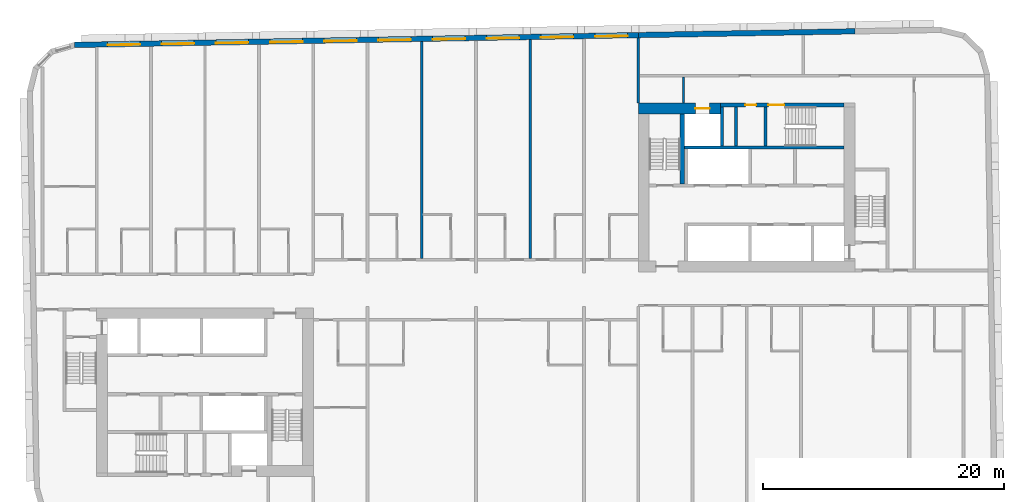
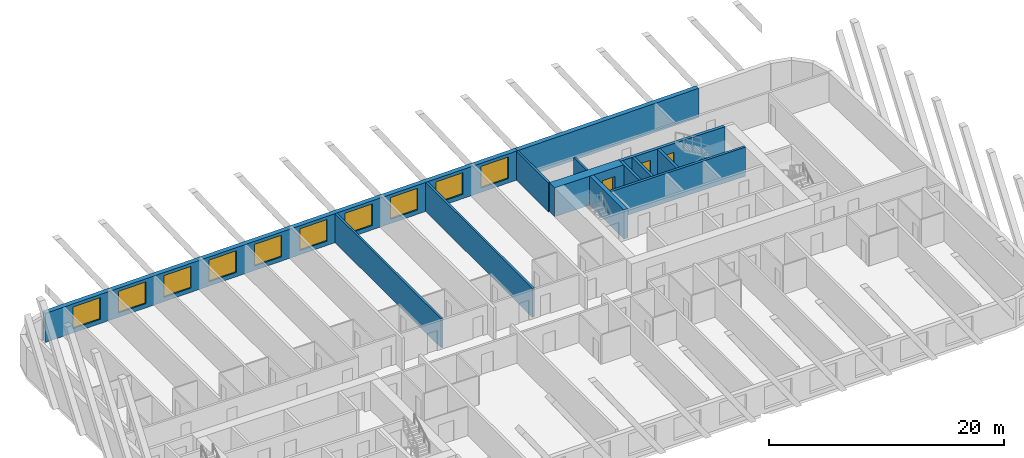
# One storey, part 6 of 13: 13 walls, 10 windows, 3 doors, 13 openings.
"""IFC4 building model written with IfcOpenShell, lengths in metres."""

from ifc_helpers import new_model, si_unit, direction, frame, frame_2d, origin, place, context, subcontext, project, spatial, rectangle, extrude, material, layer, layer_set, type_object, element, fill, save


model = new_model("IFC4")

# Units and contexts
model_context = context("Model", 3, precision=1e-05, world=origin(), true_north=direction((0.0, 1.0)))
body_context = subcontext(model_context, "Body", "Model", "MODEL_VIEW")
ifc_project = project(units=[si_unit("LENGTHUNIT", "METRE"), si_unit("AREAUNIT", "SQUARE_METRE"), si_unit("VOLUMEUNIT", "CUBIC_METRE"), si_unit("PLANEANGLEUNIT", "RADIAN"), si_unit("MASSUNIT", "GRAM", prefix="KILO")], contexts=[model_context])

# Site, building, storey
site_placement = place(None, origin())
site = spatial("IfcSite", under=ifc_project, at=site_placement, CompositionType="ELEMENT")
building_placement = place(site_placement, origin())
building = spatial("IfcBuilding", under=site, at=building_placement, Name="Kajstack Hotel Tower", CompositionType="ELEMENT")
storey_placement = place(building_placement, frame((0.0, 0.0, 237.5)))
storey = spatial("IfcBuildingStorey", under=building, at=storey_placement, Name="L58", CompositionType="ELEMENT", Elevation=237.5)

# Wall, opening, door
ifc_material_1 = material(Name="Concrete C60/75", Category="concrete")
ifc_layer_1 = layer(ifc_material_1, 0.89990234375)
ifc_layer_set_1 = layer_set([ifc_layer_1], Name="Core wall 900")
wall_type_1 = type_object("IfcWallType", Name="Core wall 900", PredefinedType="SHEAR", material=ifc_layer_set_1)
wall_1_placement = place(storey_placement, frame((13.5, 15.050048828125, 0.0), z_axis=(0.0, 0.0, 1.0), x_axis=(1.0, 0.0, 0.0)))
wall_1 = element("IfcWall", 1, at=wall_1_placement, inside=storey, type_object=wall_type_1, Name="Core wall E RS", PredefinedType="SHEAR", context=body_context, shape_type="SweptSolid", body=[
    extrude(rectangle(XDim=6.800048828125, YDim=0.89990234375, at=frame_2d((3.39990234375, 0.0))), origin(), (0.0, 0.0, 1.0), 3.02001953125),
])
opening_1_placement = place(wall_1_placement, frame((4.72509765625, 0.0, 0.0)))
opening_1 = element("IfcOpeningElement", 2, at=opening_1_placement, cuts=wall_1, Name="Opening LD-SV2", PredefinedType="OPENING", context=body_context, shape_type="SweptSolid", body=[
    extrude(rectangle(XDim=1.199951171875, YDim=2.10009765625, at=frame_2d((0.60009765625, 1.050048828125))), frame((0.0, 0.4599609375, 0.0), z_axis=(0.0, -1.0, 0.0), x_axis=(1.0, 0.0, 0.0)), (0.0, 0.0, 1.0), 0.919921875),
])
ifc_material_2 = material(Name="Stainless steel", Category="steel")
door_type_1 = type_object("IfcDoorType", Name="Lift landing door 1200", OperationType="SLIDING_TO_LEFT", PredefinedType="DOOR", material=ifc_material_2)
door_1_placement = place(opening_1_placement, origin())
door_1 = element("IfcDoor", 3, at=door_1_placement, inside=storey, type_object=door_type_1, Name="Landing door SV2", OperationType="SLIDING_TO_LEFT", OverallHeight=2.10009765625, OverallWidth=1.199951171875, PredefinedType="DOOR", context=body_context, shape_type="SweptSolid", body=[
    extrude(rectangle(XDim=1.199951171875, YDim=2.10009765625, at=frame_2d((0.60009765625, 1.050048828125))), frame((0.0, 0.02490234375, 0.0), z_axis=(0.0, -1.0, 0.0), x_axis=(1.0, 0.0, 0.0)), (0.0, 0.0, 1.0), 0.050048828125),
])
fill(opening_1, door_1)

# Walls
ifc_material_3 = material(Name="Twin-frame gypsum board on steel studs, mineral wool", Category="steel")
ifc_layer_2 = layer(ifc_material_3, 0.199951171875)
ifc_layer_set_2 = layer_set([ifc_layer_2], Name="Demising wall 200")
wall_type_2 = type_object("IfcWallType", Name="Demising wall 200", PredefinedType="PARTITIONING", material=ifc_layer_set_2)
wall_2_placement = place(storey_placement, frame((13.5, 15.5, 0.0), z_axis=(0.0, 0.0, 1.0), x_axis=(0.0, 1.0, 0.0)))
element("IfcWall", 4, at=wall_2_placement, inside=storey, type_object=wall_type_2, Name="G-wall-L58-001", PredefinedType="PARTITIONING", context=body_context, shape_type="SweptSolid", body=[
    extrude(rectangle(XDim=5.43603515625, YDim=0.199951171875, at=frame_2d((2.718017578125, 0.0))), origin(), (0.0, 0.0, 1.0), 3.02001953125),
])
wall_3_placement = place(storey_placement, frame((-4.5, 2.60009765625, 0.0), z_axis=(0.0, 0.0, 1.0), x_axis=(0.0, 1.0, 0.0)))
element("IfcWall", 5, at=wall_3_placement, inside=storey, type_object=wall_type_2, Name="G-wall-L58-021", PredefinedType="PARTITIONING", context=body_context, shape_type="SweptSolid", body=[
    extrude(rectangle(XDim=18.02197265625, YDim=0.199951171875, at=frame_2d((9.010986328125, 0.0))), origin(), (0.0, 0.0, 1.0), 3.02001953125),
])
wall_4_placement = place(storey_placement, frame((4.5, 2.60009765625, 0.0), z_axis=(0.0, 0.0, 1.0), x_axis=(0.0, 1.0, 0.0)))
element("IfcWall", 6, at=wall_4_placement, inside=storey, type_object=wall_type_2, Name="G-wall-L58-026", PredefinedType="PARTITIONING", context=body_context, shape_type="SweptSolid", body=[
    extrude(rectangle(XDim=18.178955078125, YDim=0.199951171875, at=frame_2d((9.08935546875, 0.0))), origin(), (0.0, 0.0, 1.0), 3.02001953125),
])
ifc_material_4 = material(Name="Concrete C40/50", Category="concrete")
ifc_layer_3 = layer(ifc_material_4, 0.449951171875)
ifc_layer_set_3 = layer_set([ifc_layer_3], Name="EW-CORE")
wall_type_3 = type_object("IfcWallType", Name="EW-CORE", PredefinedType="SOLIDWALL", material=ifc_layer_set_3)
wall_5_placement = place(storey_placement, frame((31.50390625, 21.4755859375, 0.0), z_axis=(0.0, 0.0, 1.0), x_axis=(-0.999847677887, -0.017453395744, 0.0)))
element("IfcWall", 7, at=wall_5_placement, inside=storey, type_object=wall_type_3, Name="E-wall-L58-12-01", PredefinedType="SOLIDWALL", context=body_context, shape_type="SweptSolid", body=[
    extrude(rectangle(XDim=18.002685546875, YDim=0.449951171875, at=frame_2d((9.00146484375, 0.0))), origin(), (0.0, 0.0, 1.0), 3.02001953125),
])

# Wall, openings, windows
ifc_material_5 = material(Name="Terracotta-faced brick masonry", Category="masonry")
ifc_layer_4 = layer(ifc_material_5, 0.449951171875)
ifc_layer_set_4 = layer_set([ifc_layer_4], Name="EW-TERRA")
wall_type_4 = type_object("IfcWallType", Name="EW-TERRA", PredefinedType="SOLIDWALL", material=ifc_layer_set_4)
wall_6_placement = place(storey_placement, frame((13.50390625, 21.161376953125, 0.0), z_axis=(0.0, 0.0, 1.0), x_axis=(-0.999847763257, -0.017448504532, 0.0)))
wall_6 = element("IfcWall", 8, at=wall_6_placement, inside=storey, type_object=wall_type_4, Name="E-wall-L58-12-02", PredefinedType="SOLIDWALL", context=body_context, shape_type="SweptSolid", body=[
    extrude(rectangle(XDim=46.859375, YDim=0.449951171875, at=frame_2d((23.4296875, 0.0))), origin(), (0.0, 0.0, 1.0), 3.02001953125),
])
opening_2_placement = place(wall_6_placement, frame((0.900390625, 0.0, 0.449951171875)))
opening_2 = element("IfcOpeningElement", 9, at=opening_2_placement, cuts=wall_6, Name="Opening W1", PredefinedType="OPENING", context=body_context, shape_type="SweptSolid", body=[
    extrude(rectangle(XDim=2.699951171875, YDim=2.25, at=frame_2d((1.35009765625, 1.125))), frame((0.0, 0.23486328125, 0.0), z_axis=(0.0, -1.0, 0.0), x_axis=(1.0, 0.0, 0.0)), (0.0, 0.0, 1.0), 0.469970703125),
])
opening_3_placement = place(wall_6_placement, frame((5.401123046875, 0.0, 0.449951171875)))
opening_3 = element("IfcOpeningElement", 10, at=opening_3_placement, cuts=wall_6, Name="Opening W1", PredefinedType="OPENING", context=body_context, shape_type="SweptSolid", body=[
    extrude(rectangle(XDim=2.699951171875, YDim=2.25, at=frame_2d((1.35009765625, 1.125))), frame((0.0, 0.23486328125, 0.0), z_axis=(0.0, -1.0, 0.0), x_axis=(1.0, 0.0, 0.0)), (0.0, 0.0, 1.0), 0.469970703125),
])
opening_4_placement = place(wall_6_placement, frame((9.90185546875, 0.0, 0.449951171875)))
opening_4 = element("IfcOpeningElement", 11, at=opening_4_placement, cuts=wall_6, Name="Opening W1", PredefinedType="OPENING", context=body_context, shape_type="SweptSolid", body=[
    extrude(rectangle(XDim=2.699951171875, YDim=2.25, at=frame_2d((1.35009765625, 1.125))), frame((0.0, 0.23486328125, 0.0), z_axis=(0.0, -1.0, 0.0), x_axis=(1.0, 0.0, 0.0)), (0.0, 0.0, 1.0), 0.469970703125),
])
opening_5_placement = place(wall_6_placement, frame((14.40234375, 0.0, 0.449951171875)))
opening_5 = element("IfcOpeningElement", 12, at=opening_5_placement, cuts=wall_6, Name="Opening W1", PredefinedType="OPENING", context=body_context, shape_type="SweptSolid", body=[
    extrude(rectangle(XDim=2.699951171875, YDim=2.25, at=frame_2d((1.35009765625, 1.125))), frame((0.0, 0.23486328125, 0.0), z_axis=(0.0, -1.0, 0.0), x_axis=(1.0, 0.0, 0.0)), (0.0, 0.0, 1.0), 0.469970703125),
])
opening_6_placement = place(wall_6_placement, frame((18.9033203125, 0.0, 0.449951171875)))
opening_6 = element("IfcOpeningElement", 13, at=opening_6_placement, cuts=wall_6, Name="Opening W1", PredefinedType="OPENING", context=body_context, shape_type="SweptSolid", body=[
    extrude(rectangle(XDim=2.699951171875, YDim=2.25, at=frame_2d((1.35009765625, 1.125))), frame((0.0, 0.23486328125, 0.0), z_axis=(0.0, -1.0, 0.0), x_axis=(1.0, 0.0, 0.0)), (0.0, 0.0, 1.0), 0.469970703125),
])
opening_7_placement = place(wall_6_placement, frame((23.40380859375, 0.0, 0.449951171875)))
opening_7 = element("IfcOpeningElement", 14, at=opening_7_placement, cuts=wall_6, Name="Opening W1", PredefinedType="OPENING", context=body_context, shape_type="SweptSolid", body=[
    extrude(rectangle(XDim=2.699951171875, YDim=2.25, at=frame_2d((1.35009765625, 1.125))), frame((0.0, 0.23486328125, 0.0), z_axis=(0.0, -1.0, 0.0), x_axis=(1.0, 0.0, 0.0)), (0.0, 0.0, 1.0), 0.469970703125),
])
opening_8_placement = place(wall_6_placement, frame((27.904296875, 0.0, 0.449951171875)))
opening_8 = element("IfcOpeningElement", 15, at=opening_8_placement, cuts=wall_6, Name="Opening W1", PredefinedType="OPENING", context=body_context, shape_type="SweptSolid", body=[
    extrude(rectangle(XDim=2.699951171875, YDim=2.25, at=frame_2d((1.35009765625, 1.125))), frame((0.0, 0.23486328125, 0.0), z_axis=(0.0, -1.0, 0.0), x_axis=(1.0, 0.0, 0.0)), (0.0, 0.0, 1.0), 0.469970703125),
])
opening_9_placement = place(wall_6_placement, frame((32.4052734375, 0.0, 0.449951171875)))
opening_9 = element("IfcOpeningElement", 16, at=opening_9_placement, cuts=wall_6, Name="Opening W1", PredefinedType="OPENING", context=body_context, shape_type="SweptSolid", body=[
    extrude(rectangle(XDim=2.699951171875, YDim=2.25, at=frame_2d((1.35009765625, 1.125))), frame((0.0, 0.23486328125, 0.0), z_axis=(0.0, -1.0, 0.0), x_axis=(1.0, 0.0, 0.0)), (0.0, 0.0, 1.0), 0.469970703125),
])
opening_10_placement = place(wall_6_placement, frame((36.906005859375, 0.0, 0.449951171875)))
opening_10 = element("IfcOpeningElement", 17, at=opening_10_placement, cuts=wall_6, Name="Opening W1", PredefinedType="OPENING", context=body_context, shape_type="SweptSolid", body=[
    extrude(rectangle(XDim=2.699951171875, YDim=2.25, at=frame_2d((1.35009765625, 1.125))), frame((0.0, 0.23486328125, 0.0), z_axis=(0.0, -1.0, 0.0), x_axis=(1.0, 0.0, 0.0)), (0.0, 0.0, 1.0), 0.469970703125),
])
opening_11_placement = place(wall_6_placement, frame((41.406494140625, 0.0, 0.449951171875)))
opening_11 = element("IfcOpeningElement", 18, at=opening_11_placement, cuts=wall_6, Name="Opening W1", PredefinedType="OPENING", context=body_context, shape_type="SweptSolid", body=[
    extrude(rectangle(XDim=2.699951171875, YDim=2.25, at=frame_2d((1.35009765625, 1.125))), frame((0.0, 0.23486328125, 0.0), z_axis=(0.0, -1.0, 0.0), x_axis=(1.0, 0.0, 0.0)), (0.0, 0.0, 1.0), 0.469970703125),
])
ifc_material_6 = material(Name="Timber-aluminium window, triple glazed", Category="wood")
window_type = type_object("IfcWindowType", Name="WG1", PartitioningType="SINGLE_PANEL", PredefinedType="WINDOW", material=ifc_material_6)
window_1_placement = place(opening_2_placement, origin())
window_1 = element("IfcWindow", 19, at=window_1_placement, inside=storey, type_object=window_type, Name="Window W1 L58-12", OverallHeight=2.25, OverallWidth=2.699951171875, PartitioningType="SINGLE_PANEL", PredefinedType="WINDOW", context=body_context, shape_type="SweptSolid", body=[
    extrude(rectangle(XDim=2.699951171875, YDim=2.25, at=frame_2d((1.35009765625, 1.125))), frame((0.0, 0.090087890625, 0.0), z_axis=(0.0, -1.0, 0.0), x_axis=(1.0, 0.0, 0.0)), (0.0, 0.0, 1.0), 0.06005859375),
])
fill(opening_2, window_1)
window_2_placement = place(opening_3_placement, origin())
window_2 = element("IfcWindow", 20, at=window_2_placement, inside=storey, type_object=window_type, Name="Window W1 L58-12", OverallHeight=2.25, OverallWidth=2.699951171875, PartitioningType="SINGLE_PANEL", PredefinedType="WINDOW", context=body_context, shape_type="SweptSolid", body=[
    extrude(rectangle(XDim=2.699951171875, YDim=2.25, at=frame_2d((1.35009765625, 1.125))), frame((0.0, 0.090087890625, 0.0), z_axis=(0.0, -1.0, 0.0), x_axis=(1.0, 0.0, 0.0)), (0.0, 0.0, 1.0), 0.06005859375),
])
fill(opening_3, window_2)
window_3_placement = place(opening_4_placement, origin())
window_3 = element("IfcWindow", 21, at=window_3_placement, inside=storey, type_object=window_type, Name="Window W1 L58-12", OverallHeight=2.25, OverallWidth=2.699951171875, PartitioningType="SINGLE_PANEL", PredefinedType="WINDOW", context=body_context, shape_type="SweptSolid", body=[
    extrude(rectangle(XDim=2.699951171875, YDim=2.25, at=frame_2d((1.35009765625, 1.125))), frame((0.0, 0.090087890625, 0.0), z_axis=(0.0, -1.0, 0.0), x_axis=(1.0, 0.0, 0.0)), (0.0, 0.0, 1.0), 0.06005859375),
])
fill(opening_4, window_3)
window_4_placement = place(opening_5_placement, origin())
window_4 = element("IfcWindow", 22, at=window_4_placement, inside=storey, type_object=window_type, Name="Window W1 L58-12", OverallHeight=2.25, OverallWidth=2.699951171875, PartitioningType="SINGLE_PANEL", PredefinedType="WINDOW", context=body_context, shape_type="SweptSolid", body=[
    extrude(rectangle(XDim=2.699951171875, YDim=2.25, at=frame_2d((1.35009765625, 1.125))), frame((0.0, 0.090087890625, 0.0), z_axis=(0.0, -1.0, 0.0), x_axis=(1.0, 0.0, 0.0)), (0.0, 0.0, 1.0), 0.06005859375),
])
fill(opening_5, window_4)
window_5_placement = place(opening_6_placement, origin())
window_5 = element("IfcWindow", 23, at=window_5_placement, inside=storey, type_object=window_type, Name="Window W1 L58-12", OverallHeight=2.25, OverallWidth=2.699951171875, PartitioningType="SINGLE_PANEL", PredefinedType="WINDOW", context=body_context, shape_type="SweptSolid", body=[
    extrude(rectangle(XDim=2.699951171875, YDim=2.25, at=frame_2d((1.35009765625, 1.125))), frame((0.0, 0.090087890625, 0.0), z_axis=(0.0, -1.0, 0.0), x_axis=(1.0, 0.0, 0.0)), (0.0, 0.0, 1.0), 0.06005859375),
])
fill(opening_6, window_5)
window_6_placement = place(opening_7_placement, origin())
window_6 = element("IfcWindow", 24, at=window_6_placement, inside=storey, type_object=window_type, Name="Window W1 L58-12", OverallHeight=2.25, OverallWidth=2.699951171875, PartitioningType="SINGLE_PANEL", PredefinedType="WINDOW", context=body_context, shape_type="SweptSolid", body=[
    extrude(rectangle(XDim=2.699951171875, YDim=2.25, at=frame_2d((1.35009765625, 1.125))), frame((0.0, 0.090087890625, 0.0), z_axis=(0.0, -1.0, 0.0), x_axis=(1.0, 0.0, 0.0)), (0.0, 0.0, 1.0), 0.06005859375),
])
fill(opening_7, window_6)
window_7_placement = place(opening_8_placement, origin())
window_7 = element("IfcWindow", 25, at=window_7_placement, inside=storey, type_object=window_type, Name="Window W1 L58-12", OverallHeight=2.25, OverallWidth=2.699951171875, PartitioningType="SINGLE_PANEL", PredefinedType="WINDOW", context=body_context, shape_type="SweptSolid", body=[
    extrude(rectangle(XDim=2.699951171875, YDim=2.25, at=frame_2d((1.35009765625, 1.125))), frame((0.0, 0.090087890625, 0.0), z_axis=(0.0, -1.0, 0.0), x_axis=(1.0, 0.0, 0.0)), (0.0, 0.0, 1.0), 0.06005859375),
])
fill(opening_8, window_7)
window_8_placement = place(opening_9_placement, origin())
window_8 = element("IfcWindow", 26, at=window_8_placement, inside=storey, type_object=window_type, Name="Window W1 L58-12", OverallHeight=2.25, OverallWidth=2.699951171875, PartitioningType="SINGLE_PANEL", PredefinedType="WINDOW", context=body_context, shape_type="SweptSolid", body=[
    extrude(rectangle(XDim=2.699951171875, YDim=2.25, at=frame_2d((1.35009765625, 1.125))), frame((0.0, 0.090087890625, 0.0), z_axis=(0.0, -1.0, 0.0), x_axis=(1.0, 0.0, 0.0)), (0.0, 0.0, 1.0), 0.06005859375),
])
fill(opening_9, window_8)
window_9_placement = place(opening_10_placement, origin())
window_9 = element("IfcWindow", 27, at=window_9_placement, inside=storey, type_object=window_type, Name="Window W1 L58-12", OverallHeight=2.25, OverallWidth=2.699951171875, PartitioningType="SINGLE_PANEL", PredefinedType="WINDOW", context=body_context, shape_type="SweptSolid", body=[
    extrude(rectangle(XDim=2.699951171875, YDim=2.25, at=frame_2d((1.35009765625, 1.125))), frame((0.0, 0.090087890625, 0.0), z_axis=(0.0, -1.0, 0.0), x_axis=(1.0, 0.0, 0.0)), (0.0, 0.0, 1.0), 0.06005859375),
])
fill(opening_10, window_9)
window_10_placement = place(opening_11_placement, origin())
window_10 = element("IfcWindow", 28, at=window_10_placement, inside=storey, type_object=window_type, Name="Window W1 L58-12", OverallHeight=2.25, OverallWidth=2.699951171875, PartitioningType="SINGLE_PANEL", PredefinedType="WINDOW", context=body_context, shape_type="SweptSolid", body=[
    extrude(rectangle(XDim=2.699951171875, YDim=2.25, at=frame_2d((1.35009765625, 1.125))), frame((0.0, 0.090087890625, 0.0), z_axis=(0.0, -1.0, 0.0), x_axis=(1.0, 0.0, 0.0)), (0.0, 0.0, 1.0), 0.06005859375),
])
fill(opening_11, window_10)

# Walls
ifc_material_7 = material(Name="Concrete block masonry", Category="masonry")
ifc_layer_5 = layer(ifc_material_7, 0.25)
ifc_layer_set_5 = layer_set([ifc_layer_5], Name="Riser partition 250")
wall_type_5 = type_object("IfcWallType", Name="Riser partition 250", PredefinedType="PARTITIONING", material=ifc_layer_set_5)
wall_7_placement = place(storey_placement, frame((21.60009765625, 11.949951171875, 0.0), z_axis=(0.0, 0.0, 1.0), x_axis=(0.0, 1.0, 0.0)))
element("IfcWall", 29, at=wall_7_placement, inside=storey, type_object=wall_type_5, Name="Partition E SZ0", PredefinedType="PARTITIONING", context=body_context, shape_type="SweptSolid", body=[
    extrude(rectangle(XDim=3.25, YDim=0.25, at=frame_2d((1.625, 0.0))), origin(), (0.0, 0.0, 1.0), 3.02001953125),
])
ifc_material_8 = material(Name="Gypsum board on steel studs, mineral wool", Category="steel")
ifc_layer_6 = layer(ifc_material_8, 0.199951171875)
ifc_layer_set_6 = layer_set([ifc_layer_6], Name="Service partition 200")
wall_type_6 = type_object("IfcWallType", Name="Service partition 200", PredefinedType="PARTITIONING", material=ifc_layer_set_6)
wall_8_placement = place(storey_placement, frame((17.25, 15.5, 0.0), z_axis=(0.0, 0.0, 1.0), x_axis=(0.0, 1.0, 0.0)))
element("IfcWall", 30, at=wall_8_placement, inside=storey, type_object=wall_type_6, Name="Partition E SCE", PredefinedType="PARTITIONING", context=body_context, shape_type="SweptSolid", body=[
    extrude(rectangle(XDim=2.199951171875, YDim=0.199951171875, at=frame_2d((1.10009765625, 0.0))), origin(), (0.0, 0.0, 1.0), 3.02001953125),
])

# Wall, openings, doors
ifc_material_9 = material(Name="Concrete C50/60", Category="concrete")
ifc_layer_7 = layer(ifc_material_9, 0.25)
ifc_layer_set_7 = layer_set([ifc_layer_7], Name="Shaft wall 250")
wall_type_7 = type_object("IfcWallType", Name="Shaft wall 250", PredefinedType="SHEAR", material=ifc_layer_set_7)
wall_9_placement = place(storey_placement, frame((20.300048828125, 15.35009765625, 0.0), z_axis=(0.0, 0.0, 1.0), x_axis=(1.0, 0.0, 0.0)))
wall_9 = element("IfcWall", 31, at=wall_9_placement, inside=storey, type_object=wall_type_7, Name="Core wall E RSS", PredefinedType="SHEAR", context=body_context, shape_type="SweptSolid", body=[
    extrude(rectangle(XDim=10.300048828125, YDim=0.300048828125, at=frame_2d((5.14990234375, 0.0))), origin(), (0.0, 0.0, 1.0), 3.02001953125),
])
opening_12_placement = place(wall_9_placement, frame((4.0, 0.0, 0.0)))
opening_12 = element("IfcOpeningElement", 32, at=opening_12_placement, cuts=wall_9, Name="Opening 58E12", PredefinedType="OPENING", context=body_context, shape_type="SweptSolid", body=[
    extrude(rectangle(XDim=1.300048828125, YDim=2.10009765625, at=frame_2d((0.64990234375, 1.050048828125))), frame((0.0, 0.159912109375, 0.0), z_axis=(0.0, -1.0, 0.0), x_axis=(1.0, 0.0, 0.0)), (0.0, 0.0, 1.0), 0.320068359375),
])
opening_13_placement = place(wall_9_placement, frame((2.08740234375, 0.0, 0.0)))
opening_13 = element("IfcOpeningElement", 33, at=opening_13_placement, cuts=wall_9, Name="Opening 58E13", PredefinedType="OPENING", context=body_context, shape_type="SweptSolid", body=[
    extrude(rectangle(XDim=0.89990234375, YDim=2.10009765625, at=frame_2d((0.449951171875, 1.050048828125))), frame((0.0, 0.159912109375, 0.0), z_axis=(0.0, -1.0, 0.0), x_axis=(1.0, 0.0, 0.0)), (0.0, 0.0, 1.0), 0.320068359375),
])
ifc_material_10 = material(Name="Timber leaf, fire-rated", Category="wood")
door_type_2 = type_object("IfcDoorType", Name="Service door 900", OperationType="SINGLE_SWING_LEFT", PredefinedType="DOOR", material=ifc_material_10)
door_2_placement = place(opening_13_placement, origin())
door_2 = element("IfcDoor", 34, at=door_2_placement, inside=storey, type_object=door_type_2, Name="Door 58E13", OperationType="SINGLE_SWING_RIGHT", OverallHeight=2.10009765625, OverallWidth=0.89990234375, PredefinedType="DOOR", context=body_context, shape_type="SweptSolid", body=[
    extrude(rectangle(XDim=0.89990234375, YDim=2.10009765625, at=frame_2d((0.449951171875, 1.050048828125))), frame((0.0, 0.02490234375, 0.0), z_axis=(0.0, -1.0, 0.0), x_axis=(1.0, 0.0, 0.0)), (0.0, 0.0, 1.0), 0.050048828125),
])
fill(opening_13, door_2)
ifc_material_11 = material(Name="Steel leaf, fire-rated", Category="steel")
door_type_3 = type_object("IfcDoorType", Name="Stair door 1300", OperationType="SINGLE_SWING_LEFT", PredefinedType="DOOR", material=ifc_material_11)
door_3_placement = place(opening_12_placement, origin())
door_3 = element("IfcDoor", 35, at=door_3_placement, inside=storey, type_object=door_type_3, Name="Door 58E12", OperationType="SINGLE_SWING_LEFT", OverallHeight=2.10009765625, OverallWidth=1.300048828125, PredefinedType="DOOR", context=body_context, shape_type="SweptSolid", body=[
    extrude(rectangle(XDim=1.300048828125, YDim=2.10009765625, at=frame_2d((0.64990234375, 1.050048828125))), frame((0.0, 0.02490234375, 0.0), z_axis=(0.0, -1.0, 0.0), x_axis=(1.0, 0.0, 0.0)), (0.0, 0.0, 1.0), 0.050048828125),
])
fill(opening_12, door_3)

# Walls
wall_10_placement = place(storey_placement, frame((17.35009765625, 11.824951171875, 0.0), z_axis=(0.0, 0.0, 1.0), x_axis=(1.0, 0.0, 0.0)))
element("IfcWall", 36, at=wall_10_placement, inside=storey, type_object=wall_type_7, Name="Core wall E RB", PredefinedType="SHEAR", context=body_context, shape_type="SweptSolid", body=[
    extrude(rectangle(XDim=13.25, YDim=0.25, at=frame_2d((6.625, 0.0))), origin(), (0.0, 0.0, 1.0), 3.02001953125),
])
wall_11_placement = place(storey_placement, frame((20.425048828125, 11.949951171875, 0.0), z_axis=(0.0, 0.0, 1.0), x_axis=(0.0, 1.0, 0.0)))
element("IfcWall", 37, at=wall_11_placement, inside=storey, type_object=wall_type_7, Name="Core wall E SVW", PredefinedType="SHEAR", context=body_context, shape_type="SweptSolid", body=[
    extrude(rectangle(XDim=3.25, YDim=0.25, at=frame_2d((1.625, 0.0))), origin(), (0.0, 0.0, 1.0), 3.02001953125),
])
ifc_layer_8 = layer(ifc_material_9, 0.35009765625)
ifc_layer_set_8 = layer_set([ifc_layer_8], Name="Stair enclosure wall 350")
wall_type_8 = type_object("IfcWallType", Name="Stair enclosure wall 350", PredefinedType="SHEAR", material=ifc_layer_set_8)
wall_12_placement = place(storey_placement, frame((24.074951171875, 11.949951171875, 0.0), z_axis=(0.0, 0.0, 1.0), x_axis=(0.0, 1.0, 0.0)))
element("IfcWall", 38, at=wall_12_placement, inside=storey, type_object=wall_type_8, Name="Core wall E W3E", PredefinedType="SHEAR", context=body_context, shape_type="SweptSolid", body=[
    extrude(rectangle(XDim=3.25, YDim=0.25, at=frame_2d((1.625, 0.0))), origin(), (0.0, 0.0, 1.0), 3.02001953125),
])
ifc_layer_9 = layer(ifc_material_9, 0.39990234375)
ifc_layer_set_9 = layer_set([ifc_layer_9], Name="Stair wall 400")
wall_type_9 = type_object("IfcWallType", Name="Stair wall 400", PredefinedType="SHEAR", material=ifc_layer_set_9)
wall_13_placement = place(storey_placement, frame((17.14990234375, 8.800048828125, 0.0), z_axis=(0.0, 0.0, 1.0), x_axis=(0.0, 1.0, 0.0)))
element("IfcWall", 39, at=wall_13_placement, inside=storey, type_object=wall_type_9, Name="Core wall E WW2", PredefinedType="SHEAR", context=body_context, shape_type="SweptSolid", body=[
    extrude(rectangle(XDim=5.800048828125, YDim=0.39990234375, at=frame_2d((2.89990234375, 0.0))), origin(), (0.0, 0.0, 1.0), 3.02001953125),
])

save(model, "model.ifc")
